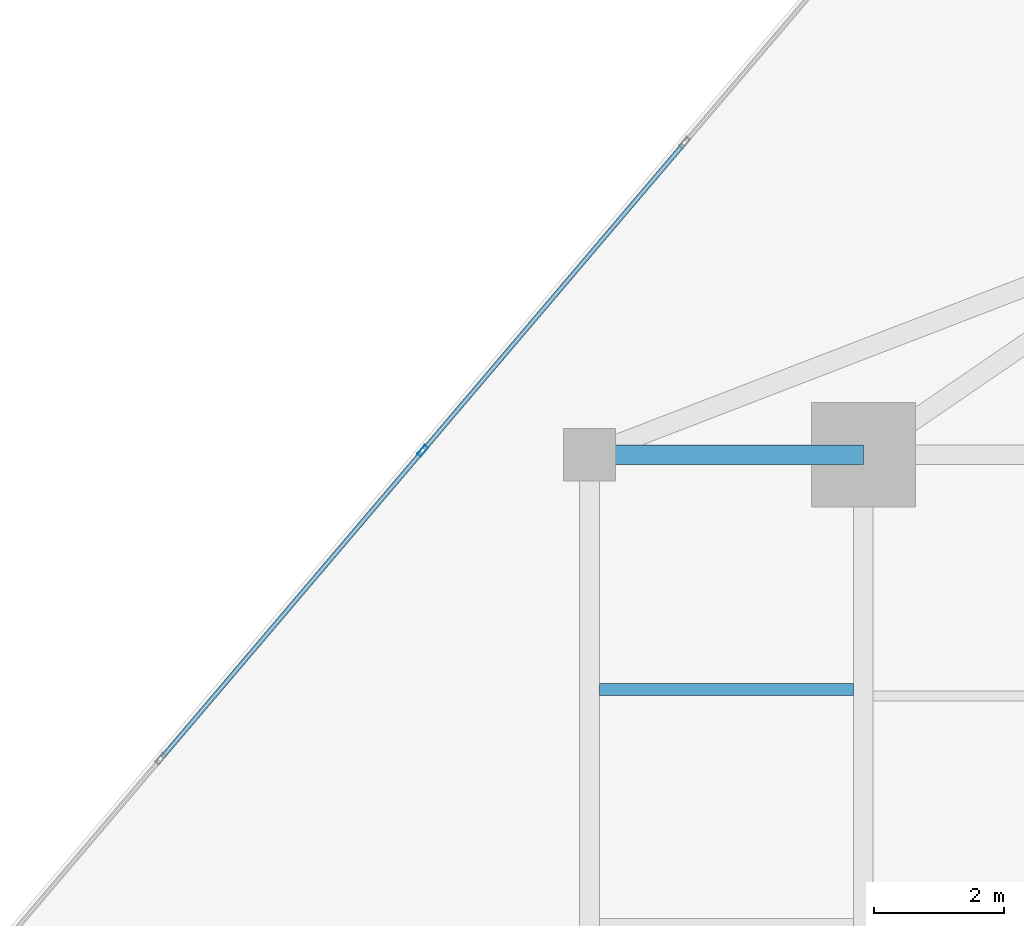
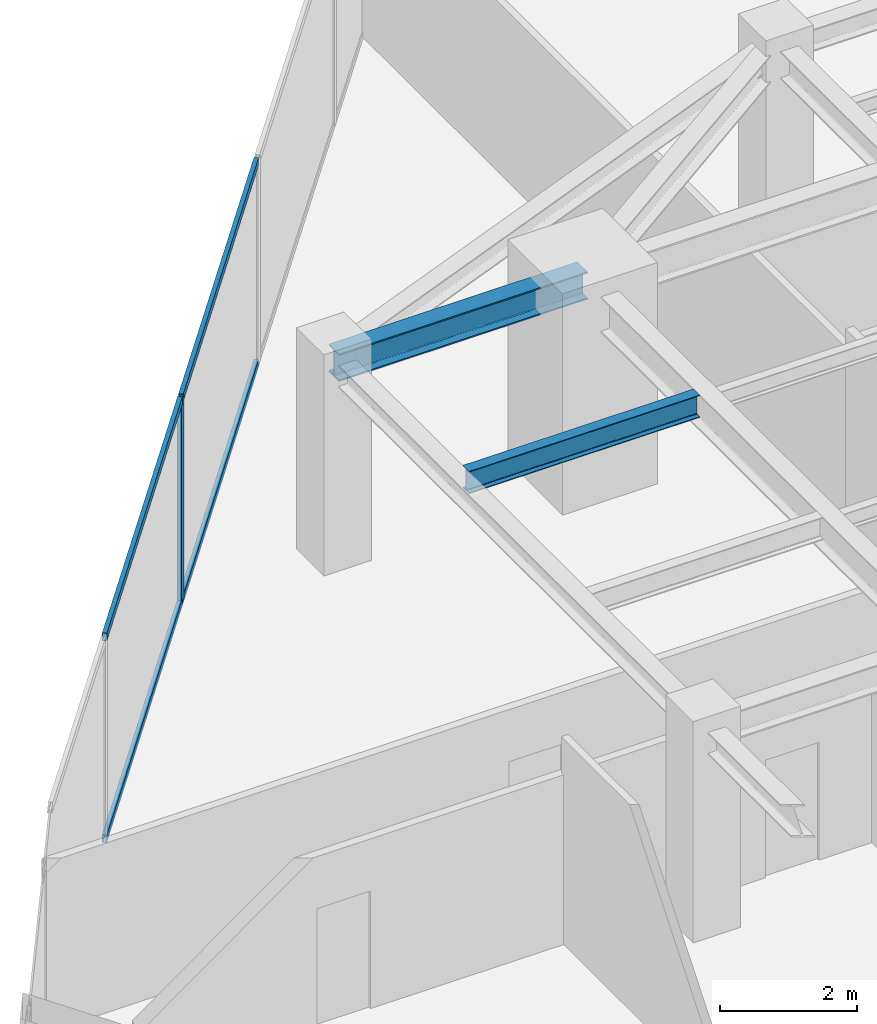
# One storey, part 14 of 25: 5 members, 2 beams, 1 element without a shape of its own.
"""IFC4 building model written with IfcOpenShell, lengths in metres."""

from ifc_helpers import new_model, si_unit, direction, frame, origin, origin_2d, place, context, subcontext, project, spatial, hollow_rectangle, i_section, extrude, source, transform, mapped, material, material_profile, profile_set, type_object, type_shapes, element, aggregate, save


model = new_model("IFC4")

# Units and contexts
model_context = context("Model", 3, precision=1e-05, world=origin(), true_north=direction((0.0, 1.0)))
body_context = subcontext(model_context, "Body", "Model", "MODEL_VIEW")
ifc_project = project(units=[si_unit("LENGTHUNIT", "METRE"), si_unit("AREAUNIT", "SQUARE_METRE"), si_unit("VOLUMEUNIT", "CUBIC_METRE"), si_unit("PLANEANGLEUNIT", "RADIAN"), si_unit("MASSUNIT", "GRAM", prefix="KILO")], contexts=[model_context])

# Site, building, storey
site_placement = place(None, origin())
site = spatial("IfcSite", under=ifc_project, at=site_placement, CompositionType="ELEMENT")
building_placement = place(site_placement, origin())
building = spatial("IfcBuilding", under=site, at=building_placement, Name="Krantzveldt Concourse Tower", CompositionType="ELEMENT")
storey_placement = place(building_placement, frame((0.0, 0.0, 211.25)))
storey = spatial("IfcBuildingStorey", under=building, at=storey_placement, Name="L51", CompositionType="ELEMENT", Elevation=211.25)

# Beams
ifc_material_1 = material(Name="Steel S355JR", Category="steel")
ifc_material_profile_1 = material_profile(ifc_material_1, i_section(OverallWidth=0.300048828125, OverallDepth=0.489990234375, WebThickness=0.011962890625, FlangeThickness=0.02294921875, FilletRadius=0.027099609375, at=origin_2d()), Name="Steel S355JR", Category="steel")
ifc_profile_set_1 = profile_set([ifc_material_profile_1], Name="Steel S355JR - HEA 500")
beam_type_1 = type_object("IfcBeamType", Name="BM-B-HEA500", PredefinedType="BEAM", material=ifc_profile_set_1)
shared_shape_1 = source(origin(), body_context, "Body", "SweptSolid", [
    extrude(i_section(OverallWidth=0.300048828125, OverallDepth=0.489990234375, WebThickness=0.011962890625, FlangeThickness=0.02294921875, FilletRadius=0.027099609375, at=origin_2d()), origin(), (0.0, 0.0, 1.0), 4.199951171875),
])
type_shapes(beam_type_1, [shared_shape_1])
beam_1_placement = place(storey_placement, frame((21.0, 37.5, 3.425048828125), z_axis=(1.0, 0.0, 0.0), x_axis=(0.0, 1.0, 0.0)))
element("IfcBeam", 1, at=beam_1_placement, inside=storey, type_object=beam_type_1, Name="L51 Tower Girder BR-RL3", PredefinedType="BEAM", context=body_context, shape_type="MappedRepresentation", body=[
    mapped(shared_shape_1, transform((0.0, 0.0, 0.0), x_axis=(1.0, 0.0, 0.0), y_axis=(0.0, 1.0, 0.0), z_axis=(0.0, 0.0, 1.0), scale=1.0)),
])
ifc_material_profile_2 = material_profile(ifc_material_1, i_section(OverallWidth=0.179931640625, OverallDepth=0.39990234375, WebThickness=0.008544921875, FlangeThickness=0.013427734375, FilletRadius=0.02099609375, at=origin_2d()), Name="Steel S355JR", Category="steel")
ifc_profile_set_2 = profile_set([ifc_material_profile_2], Name="Steel S355JR - IPE 400")
beam_type_2 = type_object("IfcBeamType", Name="BM-J-IPE400", PredefinedType="JOIST", material=ifc_profile_set_2)
shared_shape_2 = source(origin(), body_context, "Body", "SweptSolid", [
    extrude(i_section(OverallWidth=0.179931640625, OverallDepth=0.39990234375, WebThickness=0.008544921875, FlangeThickness=0.013427734375, FilletRadius=0.02099609375, at=origin_2d()), origin(), (0.0, 0.0, 1.0), 3.900146484375),
])
type_shapes(beam_type_2, [shared_shape_2])
beam_2_placement = place(storey_placement, frame((21.14990234375, 33.89990234375, 3.469970703125), z_axis=(1.0, 0.0, 0.0), x_axis=(0.0, 1.0, 0.0)))
element("IfcBeam", 2, at=beam_2_placement, inside=storey, type_object=beam_type_2, Name="L51 Secondary Floor Joist JW-4", PredefinedType="JOIST", context=body_context, shape_type="MappedRepresentation", body=[
    mapped(shared_shape_2, transform((0.0, 0.0, 0.0), x_axis=(1.0, 0.0, 0.0), y_axis=(0.0, 1.0, 0.0), z_axis=(0.0, 0.0, 1.0), scale=1.0)),
])

# Curtain wall, members
ifc_material_2 = material(Name="Anodised aluminium 6063-T6", Category="aluminium")
curtain_wall_type = type_object("IfcCurtainWallType", Name="CW3", PredefinedType="USERDEFINED", material=ifc_material_2)
curtain_wall_placement = place(storey_placement, origin())
curtain_wall = element("IfcCurtainWall", 3, at=curtain_wall_placement, inside=storey, type_object=curtain_wall_type, Name="CW-L51-F01", ObjectType="UNITISED CURTAIN WALL", PredefinedType="USERDEFINED")
ifc_material_profile_3 = material_profile(ifc_material_2, hollow_rectangle(XDim=0.070068359375, YDim=0.179931640625, WallThickness=0.0048828125, at=origin_2d()), Name="Anodised aluminium 6063-T6", Category="aluminium")
ifc_profile_set_3 = profile_set([ifc_material_profile_3], Name="Anodised aluminium 6063-T6 - ALU-MULL 180x70x5")
member_type_1 = type_object("IfcMemberType", Name="CW-MUL-180", PredefinedType="MULLION", material=ifc_profile_set_3)
shared_shape_3 = source(origin(), body_context, "Body", "SweptSolid", [
    extrude(hollow_rectangle(XDim=0.070068359375, YDim=0.179931640625, WallThickness=0.0048828125, at=origin_2d()), origin(), (0.0, 0.0, 1.0), 3.669921875),
])
type_shapes(member_type_1, [shared_shape_3])
member_1_placement = place(storey_placement, frame((18.443115234375, 37.559814453125, 0.0), z_axis=(0.0, 0.0, 1.0), x_axis=(0.761820912327, -0.647787694805, 0.0)))
member_1 = element("IfcMember", 4, at=member_1_placement, type_object=member_type_1, Name="CW-Z34 mullion 4", PredefinedType="MULLION", context=body_context, shape_type="MappedRepresentation", body=[
    mapped(shared_shape_3, transform((0.0, 0.0, 0.0), x_axis=(1.0, 0.0, 0.0), y_axis=(0.0, 1.0, 0.0), z_axis=(0.0, 0.0, 1.0), scale=1.0)),
])
ifc_material_profile_4 = material_profile(ifc_material_2, hollow_rectangle(XDim=0.070068359375, YDim=0.139892578125, WallThickness=0.0048828125, at=origin_2d()), Name="Anodised aluminium 6063-T6", Category="aluminium")
ifc_profile_set_4 = profile_set([ifc_material_profile_4], Name="Anodised aluminium 6063-T6 - ALU-TRAN 140x70x5")
member_type_2 = type_object("IfcMemberType", Name="CW-TRN-150", PredefinedType="USERDEFINED", material=ifc_profile_set_4)
shared_shape_4 = source(origin(), body_context, "Body", "SweptSolid", [
    extrude(hollow_rectangle(XDim=0.070068359375, YDim=0.139892578125, WallThickness=0.0048828125, at=origin_2d()), origin(), (0.0, 0.0, 1.0), 6.1298828125),
])
type_shapes(member_type_2, [shared_shape_4])
member_2_placement = place(storey_placement, frame((22.436767578125, 42.25634765625, 0.034912109375), z_axis=(-0.647791763952, -0.761817452252, 0.0), x_axis=(0.761817452252, -0.647791763952, 0.0)))
member_2 = element("IfcMember", 5, at=member_2_placement, type_object=member_type_2, Name="CW-Z34 transom 3.1", ObjectType="TRANSOM", PredefinedType="USERDEFINED", context=body_context, shape_type="MappedRepresentation", body=[
    mapped(shared_shape_4, transform((0.0, 0.0, 0.0), x_axis=(1.0, 0.0, 0.0), y_axis=(0.0, 1.0, 0.0), z_axis=(0.0, 0.0, 1.0), scale=1.0)),
])
member_3_placement = place(storey_placement, frame((22.436767578125, 42.25634765625, 3.635009765625), z_axis=(-0.647791763952, -0.761817452252, 0.0), x_axis=(0.761817452252, -0.647791763952, 0.0)))
member_3 = element("IfcMember", 6, at=member_3_placement, type_object=member_type_2, Name="CW-Z34 transom 3.2", ObjectType="TRANSOM", PredefinedType="USERDEFINED", context=body_context, shape_type="MappedRepresentation", body=[
    mapped(shared_shape_4, transform((0.0, 0.0, 0.0), x_axis=(1.0, 0.0, 0.0), y_axis=(0.0, 1.0, 0.0), z_axis=(0.0, 0.0, 1.0), scale=1.0)),
])
member_4_placement = place(storey_placement, frame((18.42041015625, 37.532958984375, 0.034912109375), z_axis=(-0.647791763952, -0.761817452252, 0.0), x_axis=(0.761817452252, -0.647791763952, 0.0)))
member_4 = element("IfcMember", 7, at=member_4_placement, type_object=member_type_2, Name="CW-Z34 transom 4.1", ObjectType="TRANSOM", PredefinedType="USERDEFINED", context=body_context, shape_type="MappedRepresentation", body=[
    mapped(shared_shape_4, transform((0.0, 0.0, 0.0), x_axis=(1.0, 0.0, 0.0), y_axis=(0.0, 1.0, 0.0), z_axis=(0.0, 0.0, 1.0), scale=1.0)),
])
member_5_placement = place(storey_placement, frame((18.42041015625, 37.532958984375, 3.635009765625), z_axis=(-0.647791763952, -0.761817452252, 0.0), x_axis=(0.761817452252, -0.647791763952, 0.0)))
member_5 = element("IfcMember", 8, at=member_5_placement, type_object=member_type_2, Name="CW-Z34 transom 4.2", ObjectType="TRANSOM", PredefinedType="USERDEFINED", context=body_context, shape_type="MappedRepresentation", body=[
    mapped(shared_shape_4, transform((0.0, 0.0, 0.0), x_axis=(1.0, 0.0, 0.0), y_axis=(0.0, 1.0, 0.0), z_axis=(0.0, 0.0, 1.0), scale=1.0)),
])
aggregate(curtain_wall, [member_1, member_2, member_3, member_4, member_5])

save(model, "model.ifc")
